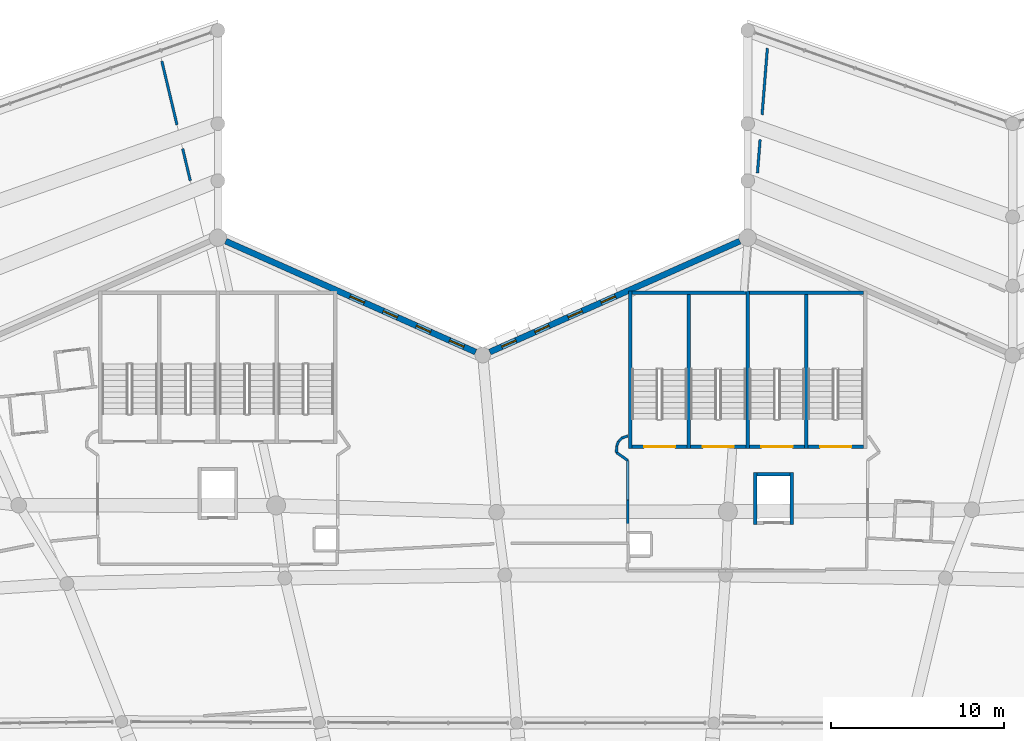
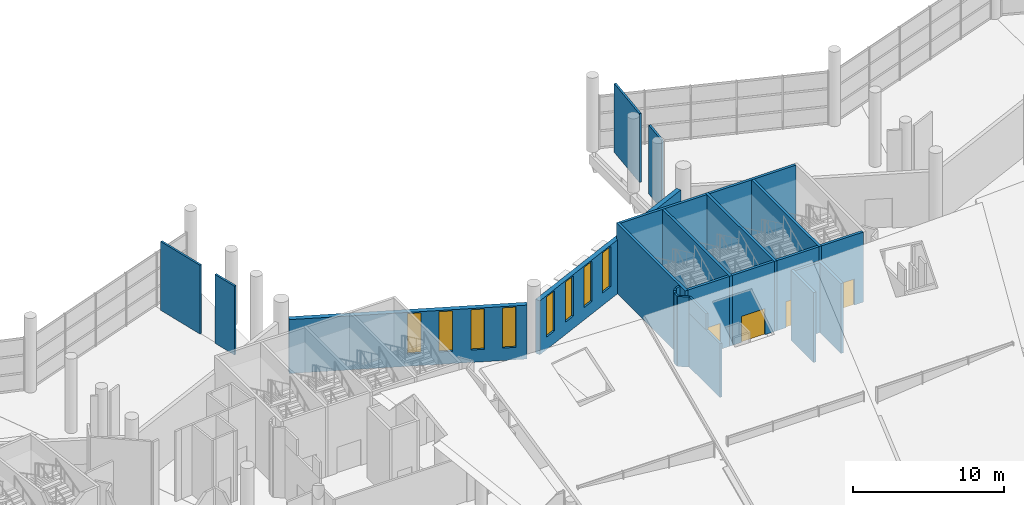
# One storey, part 167 of 249: 26 walls, 8 windows, 4 doors, 12 openings.
"""IFC4 building model written with IfcOpenShell, lengths in metres."""

from ifc_helpers import new_model, si_unit, direction, frame, frame_2d, origin, place, context, subcontext, project, spatial, rectangle, extrude, material, layer, layer_set, type_object, element, fill, save


model = new_model("IFC4")

# Units and contexts
model_context = context("Model", 3, precision=1e-05, world=origin(), true_north=direction((0.0, 1.0)))
body_context = subcontext(model_context, "Body", "Model", "MODEL_VIEW")
ifc_project = project(units=[si_unit("LENGTHUNIT", "METRE"), si_unit("AREAUNIT", "SQUARE_METRE"), si_unit("VOLUMEUNIT", "CUBIC_METRE"), si_unit("PLANEANGLEUNIT", "RADIAN"), si_unit("MASSUNIT", "GRAM", prefix="KILO")], contexts=[model_context])

# Site, building, storey
site_placement = place(None, origin())
site = spatial("IfcSite", under=ifc_project, at=site_placement, CompositionType="ELEMENT")
building_placement = place(site_placement, origin())
building = spatial("IfcBuilding", under=site, at=building_placement, Name="Meseta Stadium", CompositionType="ELEMENT")
storey_placement = place(building_placement, frame((0.0, 0.0, 12.0)))
storey = spatial("IfcBuildingStorey", under=building, at=storey_placement, Name="L02", CompositionType="ELEMENT", Elevation=12.0)

# Walls
ifc_material_1 = material(Name="Concrete C40/50", Category="concrete")
ifc_layer_1 = layer(ifc_material_1, 0.199951171875)
ifc_layer_set_1 = layer_set([ifc_layer_1], Name="Core divider wall 200")
wall_type_1 = type_object("IfcWallType", Name="Core divider wall 200", PredefinedType="SHEAR", material=ifc_layer_set_1)
for number, where, z_axis, x_axis, name in (
    (1, (11.066650390625, 102.300048828125, 0.0), (0.0, 0.0, 1.0), (0.0, -1.0, 0.0), "Core 10 L02 stair A divider wall"),
    (2, (4.2666015625, 102.300048828125, 0.0), (0.0, 0.0, 1.0), (0.0, -1.0, 0.0), "Core 10 L02 stair B divider wall"),
):
    element("IfcWall", number, at=place(storey_placement, frame(where, z_axis=z_axis, x_axis=x_axis)), inside=storey, type_object=wall_type_1, Name=name, PredefinedType="SHEAR", context=body_context, shape_type="SweptSolid", body=[
        extrude(rectangle(XDim=9.10009765625, YDim=0.199951171875, at=frame_2d((4.550048828125, 0.0))), origin(), (0.0, 0.0, 1.0), 5.64990234375),
    ])
ifc_material_2 = material(Name="Concrete C40/50", Category="concrete")
ifc_layer_2 = layer(ifc_material_2, 0.199951171875)
ifc_layer_set_2 = layer_set([ifc_layer_2], Name="Core shaft wall 200")
wall_type_2 = type_object("IfcWallType", Name="Core shaft wall 200", PredefinedType="SHEAR", material=ifc_layer_set_2)
for number, where, z_axis, x_axis, name in (
    (3, (7.666748046875, 102.300048828125, 0.0), (0.0, 0.0, 1.0), (0.0, -1.0, 0.0), "Core 10 L02 stair wall shared"),
    (4, (0.86669921875, 102.300048828125, 0.0), (0.0, 0.0, 1.0), (0.0, -1.0, 0.0), "Core 10 L02 stair wall B-side"),
):
    element("IfcWall", number, at=place(storey_placement, frame(where, z_axis=z_axis, x_axis=x_axis)), inside=storey, type_object=wall_type_2, Name=name, PredefinedType="SHEAR", context=body_context, shape_type="SweptSolid", body=[
        extrude(rectangle(XDim=9.10009765625, YDim=0.199951171875, at=frame_2d((4.550048828125, 0.0))), origin(), (0.0, 0.0, 1.0), 5.64990234375),
    ])
wall_1_placement = place(storey_placement, frame((14.36669921875, 102.199951171875, 0.0), z_axis=(0.0, 0.0, 1.0), x_axis=(-1.0, 0.0, 0.0)))
element("IfcWall", 5, at=wall_1_placement, inside=storey, type_object=wall_type_2, Name="Core 10 L02 stair A outer end wall", PredefinedType="SHEAR", context=body_context, shape_type="SweptSolid", body=[
    extrude(rectangle(XDim=6.60009765625, YDim=0.199951171875, at=frame_2d((3.300048828125, 0.0))), origin(), (0.0, 0.0, 1.0), 5.64990234375),
])
wall_2_placement = place(storey_placement, frame((7.566650390625, 102.199951171875, 0.0), z_axis=(0.0, 0.0, 1.0), x_axis=(-1.0, 0.0, 0.0)))
element("IfcWall", 6, at=wall_2_placement, inside=storey, type_object=wall_type_2, Name="Core 10 L02 stair B outer end wall", PredefinedType="SHEAR", context=body_context, shape_type="SweptSolid", body=[
    extrude(rectangle(XDim=6.599853515625, YDim=0.199951171875, at=frame_2d((3.2998046875, 0.0))), origin(), (0.0, 0.0, 1.0), 5.64990234375),
])

# Wall, opening, door
wall_3_placement = place(storey_placement, frame((14.36669921875, 93.300048828125, 0.0), z_axis=(0.0, 0.0, 1.0), x_axis=(-1.0, 0.0, 0.0)))
wall_3 = element("IfcWall", 7, at=wall_3_placement, inside=storey, type_object=wall_type_2, Name="Core 10 L02 stair A1 inner end wall", PredefinedType="SHEAR", context=body_context, shape_type="SweptSolid", body=[
    extrude(rectangle(XDim=3.199951171875, YDim=0.199951171875, at=frame_2d((1.60009765625, 0.0))), origin(), (0.0, 0.0, 1.0), 5.64990234375),
])
opening_1_placement = place(wall_3_placement, frame((0.699951171875, 0.0, 0.0)))
opening_1 = element("IfcOpeningElement", 8, at=opening_1_placement, cuts=wall_3, Name="Opening D1125", PredefinedType="OPENING", context=body_context, shape_type="SweptSolid", body=[
    extrude(rectangle(XDim=1.800048828125, YDim=2.10009765625, at=frame_2d((0.89990234375, 1.050048828125))), frame((0.0, 0.10986328125, 0.0), z_axis=(0.0, -1.0, 0.0), x_axis=(1.0, 0.0, 0.0)), (0.0, 0.0, 1.0), 0.219970703125),
])
ifc_material_3 = material(Name="Steel", Category="steel")
door_type = type_object("IfcDoorType", Name="Stair door 1800x2100", OperationType="DOUBLE_DOOR_SINGLE_SWING", PredefinedType="DOOR", material=ifc_material_3)
door_1_placement = place(opening_1_placement, origin())
door_1 = element("IfcDoor", 9, at=door_1_placement, inside=storey, type_object=door_type, Name="Stair A1 door 10 L02", OperationType="DOUBLE_DOOR_SINGLE_SWING", OverallHeight=2.10009765625, OverallWidth=1.800048828125, PredefinedType="DOOR", context=body_context, shape_type="SweptSolid", body=[
    extrude(rectangle(XDim=1.800048828125, YDim=2.10009765625, at=frame_2d((0.89990234375, 1.050048828125))), frame((0.0, 0.02490234375, 0.0), z_axis=(0.0, -1.0, 0.0), x_axis=(1.0, 0.0, 0.0)), (0.0, 0.0, 1.0), 0.050048828125),
])
fill(opening_1, door_1)

wall_4_placement = place(storey_placement, frame((10.966796875, 93.300048828125, 0.0), z_axis=(0.0, 0.0, 1.0), x_axis=(-1.0, 0.0, 0.0)))
wall_4 = element("IfcWall", 10, at=wall_4_placement, inside=storey, type_object=wall_type_2, Name="Core 10 L02 stair A2 inner end wall", PredefinedType="SHEAR", context=body_context, shape_type="SweptSolid", body=[
    extrude(rectangle(XDim=3.2001953125, YDim=0.199951171875, at=frame_2d((1.60009765625, 0.0))), origin(), (0.0, 0.0, 1.0), 5.64990234375),
])
opening_2_placement = place(wall_4_placement, frame((0.699951171875, 0.0, 0.0)))
opening_2 = element("IfcOpeningElement", 11, at=opening_2_placement, cuts=wall_4, Name="Opening D1124", PredefinedType="OPENING", context=body_context, shape_type="SweptSolid", body=[
    extrude(rectangle(XDim=1.800048828125, YDim=2.10009765625, at=frame_2d((0.89990234375, 1.050048828125))), frame((0.0, 0.10986328125, 0.0), z_axis=(0.0, -1.0, 0.0), x_axis=(1.0, 0.0, 0.0)), (0.0, 0.0, 1.0), 0.219970703125),
])
door_2_placement = place(opening_2_placement, origin())
door_2 = element("IfcDoor", 12, at=door_2_placement, inside=storey, type_object=door_type, Name="Stair A2 door 10 L02", OperationType="DOUBLE_DOOR_SINGLE_SWING", OverallHeight=2.10009765625, OverallWidth=1.800048828125, PredefinedType="DOOR", context=body_context, shape_type="SweptSolid", body=[
    extrude(rectangle(XDim=1.800048828125, YDim=2.10009765625, at=frame_2d((0.89990234375, 1.050048828125))), frame((0.0, 0.02490234375, 0.0), z_axis=(0.0, -1.0, 0.0), x_axis=(1.0, 0.0, 0.0)), (0.0, 0.0, 1.0), 0.050048828125),
])
fill(opening_2, door_2)

wall_5_placement = place(storey_placement, frame((7.566650390625, 93.300048828125, 0.0), z_axis=(0.0, 0.0, 1.0), x_axis=(-1.0, 0.0, 0.0)))
wall_5 = element("IfcWall", 13, at=wall_5_placement, inside=storey, type_object=wall_type_2, Name="Core 10 L02 stair B1 inner end wall", PredefinedType="SHEAR", context=body_context, shape_type="SweptSolid", body=[
    extrude(rectangle(XDim=3.199951171875, YDim=0.199951171875, at=frame_2d((1.60009765625, 0.0))), origin(), (0.0, 0.0, 1.0), 5.64990234375),
])
opening_3_placement = place(wall_5_placement, frame((0.699951171875, 0.0, 0.0)))
opening_3 = element("IfcOpeningElement", 14, at=opening_3_placement, cuts=wall_5, Name="Opening D1123", PredefinedType="OPENING", context=body_context, shape_type="SweptSolid", body=[
    extrude(rectangle(XDim=1.800048828125, YDim=2.10009765625, at=frame_2d((0.89990234375, 1.050048828125))), frame((0.0, 0.10986328125, 0.0), z_axis=(0.0, -1.0, 0.0), x_axis=(1.0, 0.0, 0.0)), (0.0, 0.0, 1.0), 0.219970703125),
])
door_3_placement = place(opening_3_placement, origin())
door_3 = element("IfcDoor", 15, at=door_3_placement, inside=storey, type_object=door_type, Name="Stair B1 door 10 L02", OperationType="DOUBLE_DOOR_SINGLE_SWING", OverallHeight=2.10009765625, OverallWidth=1.800048828125, PredefinedType="DOOR", context=body_context, shape_type="SweptSolid", body=[
    extrude(rectangle(XDim=1.800048828125, YDim=2.10009765625, at=frame_2d((0.89990234375, 1.050048828125))), frame((0.0, 0.02490234375, 0.0), z_axis=(0.0, -1.0, 0.0), x_axis=(1.0, 0.0, 0.0)), (0.0, 0.0, 1.0), 0.050048828125),
])
fill(opening_3, door_3)

wall_6_placement = place(storey_placement, frame((4.166748046875, 93.300048828125, 0.0), z_axis=(0.0, 0.0, 1.0), x_axis=(-1.0, 0.0, 0.0)))
wall_6 = element("IfcWall", 16, at=wall_6_placement, inside=storey, type_object=wall_type_2, Name="Core 10 L02 stair B2 inner end wall", PredefinedType="SHEAR", context=body_context, shape_type="SweptSolid", body=[
    extrude(rectangle(XDim=3.199951171875, YDim=0.199951171875, at=frame_2d((1.60009765625, 0.0))), origin(), (0.0, 0.0, 1.0), 5.64990234375),
])
opening_4_placement = place(wall_6_placement, frame((0.699951171875, 0.0, 0.0)))
opening_4 = element("IfcOpeningElement", 17, at=opening_4_placement, cuts=wall_6, Name="Opening D1122", PredefinedType="OPENING", context=body_context, shape_type="SweptSolid", body=[
    extrude(rectangle(XDim=1.800048828125, YDim=2.10009765625, at=frame_2d((0.89990234375, 1.050048828125))), frame((0.0, 0.10986328125, 0.0), z_axis=(0.0, -1.0, 0.0), x_axis=(1.0, 0.0, 0.0)), (0.0, 0.0, 1.0), 0.219970703125),
])
door_4_placement = place(opening_4_placement, origin())
door_4 = element("IfcDoor", 18, at=door_4_placement, inside=storey, type_object=door_type, Name="Stair B2 door 10 L02", OperationType="DOUBLE_DOOR_SINGLE_SWING", OverallHeight=2.10009765625, OverallWidth=1.800048828125, PredefinedType="DOOR", context=body_context, shape_type="SweptSolid", body=[
    extrude(rectangle(XDim=1.800048828125, YDim=2.10009765625, at=frame_2d((0.89990234375, 1.050048828125))), frame((0.0, 0.02490234375, 0.0), z_axis=(0.0, -1.0, 0.0), x_axis=(1.0, 0.0, 0.0)), (0.0, 0.0, 1.0), 0.050048828125),
])
fill(opening_4, door_4)

# Walls
for number, where, z_axis, x_axis, name in (
    (19, (10.216796875, 91.800048828125, 0.0), (0.0, 0.0, 1.0), (0.0, -1.0, 0.0), "Core 10 L02 lift shaft wall left"),
    (20, (8.11669921875, 91.800048828125, 0.0), (0.0, 0.0, 1.0), (0.0, -1.0, 0.0), "Core 10 L02 lift shaft wall right"),
):
    element("IfcWall", number, at=place(storey_placement, frame(where, z_axis=z_axis, x_axis=x_axis)), inside=storey, type_object=wall_type_2, Name=name, PredefinedType="SHEAR", context=body_context, shape_type="SweptSolid", body=[
        extrude(rectangle(XDim=3.0, YDim=0.199951171875, at=frame_2d((1.5, 0.0))), origin(), (0.0, 0.0, 1.0), 5.64990234375),
    ])
wall_7_placement = place(storey_placement, frame((10.11669921875, 91.699951171875, 0.0), z_axis=(0.0, 0.0, 1.0), x_axis=(-1.0, 0.0, 0.0)))
element("IfcWall", 21, at=wall_7_placement, inside=storey, type_object=wall_type_2, Name="Core 10 L02 lift shaft back wall", PredefinedType="SHEAR", context=body_context, shape_type="SweptSolid", body=[
    extrude(rectangle(XDim=1.89990234375, YDim=0.199951171875, at=frame_2d((0.949951171875, 0.0))), origin(), (0.0, 0.0, 1.0), 5.64990234375),
])
ifc_material_4 = material(Name="Masonry blockwork", Category="masonry")
ifc_layer_3 = layer(ifc_material_4, 0.14990234375)
ifc_layer_set_3 = layer_set([ifc_layer_3], Name="Partition 150")
wall_type_3 = type_object("IfcWallType", Name="Partition 150", PredefinedType="PARTITIONING", material=ifc_layer_set_3)
wall_8_placement = place(storey_placement, frame((8.23388671875, 109.147216796875, 0.0), z_axis=(0.0, 0.0, 1.0), x_axis=(0.079152200881, 0.996862542729, 0.0)))
element("IfcWall", 22, at=wall_8_placement, inside=storey, type_object=wall_type_3, Name="Partition L02 L02-ring08-0", PredefinedType="PARTITIONING", context=body_context, shape_type="SweptSolid", body=[
    extrude(rectangle(XDim=1.930908203125, YDim=0.14990234375, at=frame_2d((0.96533203125, 0.0))), origin(), (0.0, 0.0, 1.0), 5.550048828125),
])
wall_9_placement = place(storey_placement, frame((8.501220703125, 112.515625, 0.0), z_axis=(0.0, 0.0, 1.0), x_axis=(0.079152200881, 0.996862542729, 0.0)))
element("IfcWall", 23, at=wall_9_placement, inside=storey, type_object=wall_type_3, Name="Partition L02 L02-ring08-0", PredefinedType="PARTITIONING", context=body_context, shape_type="SweptSolid", body=[
    extrude(rectangle(XDim=3.86181640625, YDim=0.14990234375, at=frame_2d((1.930908203125, 0.0))), origin(), (0.0, 0.0, 1.0), 5.550048828125),
])
wall_10_placement = place(storey_placement, frame((-26.24267578125, 115.619384765625, 0.0), z_axis=(0.0, 0.0, 1.0), x_axis=(0.231582809657, -0.972815194305, 0.0)))
element("IfcWall", 24, at=wall_10_placement, inside=storey, type_object=wall_type_3, Name="Partition L02 L02-ring10-0", PredefinedType="PARTITIONING", context=body_context, shape_type="SweptSolid", body=[
    extrude(rectangle(XDim=3.7919921875, YDim=0.14990234375, at=frame_2d((1.89599609375, 0.0))), origin(), (0.0, 0.0, 1.0), 5.550048828125),
])
wall_11_placement = place(storey_placement, frame((-25.034912109375, 110.547119140625, 0.0), z_axis=(0.0, 0.0, 1.0), x_axis=(0.231521878941, -0.972829697106, 0.0)))
element("IfcWall", 25, at=wall_11_placement, inside=storey, type_object=wall_type_3, Name="Partition L02 L02-ring10-0", PredefinedType="PARTITIONING", context=body_context, shape_type="SweptSolid", body=[
    extrude(rectangle(XDim=1.89599609375, YDim=0.14990234375, at=frame_2d((0.947998046875, 0.0))), origin(), (0.0, 0.0, 1.0), 5.550048828125),
])
wall_12_placement = place(storey_placement, frame((0.728271484375, 93.9287109375, 0.0), z_axis=(0.0, 0.0, 1.0), x_axis=(-0.937897537761, -0.346912393353, 0.0)))
element("IfcWall", 26, at=wall_12_placement, inside=storey, type_object=wall_type_3, Name="Stair vestibule wall L02 core 10", PredefinedType="PARTITIONING", context=body_context, shape_type="SweptSolid", body=[
    extrude(rectangle(XDim=0.356201171875, YDim=0.14990234375, at=frame_2d((0.17822265625, 0.0))), origin(), (0.0, 0.0, 1.0), 5.64990234375),
])
wall_13_placement = place(storey_placement, frame((0.394287109375, 93.80517578125, 0.0), z_axis=(0.0, 0.0, 1.0), x_axis=(-0.707106781187, -0.707106781187, 0.0)))
element("IfcWall", 27, at=wall_13_placement, inside=storey, type_object=wall_type_3, Name="Stair vestibule wall L02 core 10", PredefinedType="PARTITIONING", context=body_context, shape_type="SweptSolid", body=[
    extrude(rectangle(XDim=0.28515625, YDim=0.14990234375, at=frame_2d((0.142578125, 0.0))), origin(), (0.0, 0.0, 1.0), 5.64990234375),
])
wall_14_placement = place(storey_placement, frame((0.192626953125, 93.603515625, 0.0), z_axis=(0.0, 0.0, 1.0), x_axis=(-0.3830150227, -0.923742113572, 0.0)))
element("IfcWall", 28, at=wall_14_placement, inside=storey, type_object=wall_type_3, Name="Stair vestibule wall L02 core 10", PredefinedType="PARTITIONING", context=body_context, shape_type="SweptSolid", body=[
    extrude(rectangle(XDim=0.28173828125, YDim=0.14990234375, at=frame_2d((0.140869140625, 0.0))), origin(), (0.0, 0.0, 1.0), 5.64990234375),
])
wall_15_placement = place(storey_placement, frame((0.084716796875, 93.34326171875, 0.0), z_axis=(0.0, 0.0, 1.0), x_axis=(-0.038358216731, -0.999264052795, 0.0)))
element("IfcWall", 29, at=wall_15_placement, inside=storey, type_object=wall_type_3, Name="Stair vestibule wall L02 core 10", PredefinedType="PARTITIONING", context=body_context, shape_type="SweptSolid", body=[
    extrude(rectangle(XDim=0.37548828125, YDim=0.14990234375, at=frame_2d((0.187744140625, 0.0))), origin(), (0.0, 0.0, 1.0), 5.64990234375),
])
wall_16_placement = place(storey_placement, frame((0.0703125, 92.968017578125, 0.0), z_axis=(0.0, 0.0, 1.0), x_axis=(0.817587352425, -0.57580458591, 0.0)))
element("IfcWall", 30, at=wall_16_placement, inside=storey, type_object=wall_type_3, Name="Stair vestibule wall L02 core 10", PredefinedType="PARTITIONING", context=body_context, shape_type="SweptSolid", body=[
    extrude(rectangle(XDim=0.796630859375, YDim=0.14990234375, at=frame_2d((0.3984375, 0.0))), origin(), (0.0, 0.0, 1.0), 5.64990234375),
])
wall_17_placement = place(storey_placement, frame((0.7216796875, 92.50927734375, 0.0), z_axis=(0.0, 0.0, 1.0), x_axis=(0.0, -1.0, 0.0)))
element("IfcWall", 31, at=wall_17_placement, inside=storey, type_object=wall_type_3, Name="Stair vestibule wall L02 core 10", PredefinedType="PARTITIONING", context=body_context, shape_type="SweptSolid", body=[
    extrude(rectangle(XDim=4.103515625, YDim=0.14990234375, at=frame_2d((2.0517578125, 0.0))), origin(), (0.0, 0.0, 1.0), 4.35009765625),
])
wall_18_placement = place(storey_placement, frame((0.7216796875, 92.50927734375, 4.35009765625), z_axis=(0.0, 0.0, 1.0), x_axis=(0.0, -1.0, 0.0)))
element("IfcWall", 32, at=wall_18_placement, inside=storey, type_object=wall_type_3, Name="Stair vestibule wall L02 core 10", PredefinedType="PARTITIONING", context=body_context, shape_type="SweptSolid", body=[
    extrude(rectangle(XDim=2.27978515625, YDim=0.14990234375, at=frame_2d((1.139892578125, 0.0))), origin(), (0.0, 0.0, 1.0), 1.2998046875),
])

# Wall, openings, windows
ifc_material_5 = material(Name="White precast concrete C40/50", Category="concrete")
ifc_layer_4 = layer(ifc_material_5, 0.35009765625)
ifc_layer_set_4 = layer_set([ifc_layer_4], Name="Pleated panel wall 350 gate")
wall_type_4 = type_object("IfcWallType", Name="Pleated panel wall 350 gate", PredefinedType="SOLIDWALL", material=ifc_layer_set_4)
wall_19_placement = place(storey_placement, frame((-7.255615234375, 98.7822265625, 0.0), z_axis=(0.0, 0.0, 1.0), x_axis=(0.914136361455, 0.405406848322, 0.0)))
wall_19 = element("IfcWall", 33, at=wall_19_placement, inside=storey, type_object=wall_type_4, Name="Pleated facade panel L02 F18", PredefinedType="SOLIDWALL", context=body_context, shape_type="SweptSolid", body=[
    extrude(rectangle(XDim=15.82421875, YDim=0.35009765625, at=frame_2d((7.912109375, 0.0))), origin(), (0.0, 0.0, 1.0), 4.35009765625),
])
opening_5_placement = place(wall_19_placement, frame((0.75048828125, 0.0, 1.0)))
opening_5 = element("IfcOpeningElement", 34, at=opening_5_placement, cuts=wall_19, Name="Opening W019", PredefinedType="OPENING", context=body_context, shape_type="SweptSolid", body=[
    extrude(rectangle(XDim=0.89990234375, YDim=3.25, at=frame_2d((0.449951171875, 1.625))), frame((0.0, 0.18505859375, 0.0), z_axis=(0.0, -1.0, 0.0), x_axis=(1.0, 0.0, 0.0)), (0.0, 0.0, 1.0), 0.3701171875),
])
opening_6_placement = place(wall_19_placement, frame((2.850341796875, 0.0, 1.0)))
opening_6 = element("IfcOpeningElement", 35, at=opening_6_placement, cuts=wall_19, Name="Opening W020", PredefinedType="OPENING", context=body_context, shape_type="SweptSolid", body=[
    extrude(rectangle(XDim=0.89990234375, YDim=3.25, at=frame_2d((0.449951171875, 1.625))), frame((0.0, 0.18505859375, 0.0), z_axis=(0.0, -1.0, 0.0), x_axis=(1.0, 0.0, 0.0)), (0.0, 0.0, 1.0), 0.3701171875),
])
opening_7_placement = place(wall_19_placement, frame((4.950439453125, 0.0, 1.0)))
opening_7 = element("IfcOpeningElement", 36, at=opening_7_placement, cuts=wall_19, Name="Opening W021", PredefinedType="OPENING", context=body_context, shape_type="SweptSolid", body=[
    extrude(rectangle(XDim=0.89990234375, YDim=3.25, at=frame_2d((0.449951171875, 1.625))), frame((0.0, 0.18505859375, 0.0), z_axis=(0.0, -1.0, 0.0), x_axis=(1.0, 0.0, 0.0)), (0.0, 0.0, 1.0), 0.3701171875),
])
opening_8_placement = place(wall_19_placement, frame((7.05029296875, 0.0, 1.0)))
opening_8 = element("IfcOpeningElement", 37, at=opening_8_placement, cuts=wall_19, Name="Opening W022", PredefinedType="OPENING", context=body_context, shape_type="SweptSolid", body=[
    extrude(rectangle(XDim=0.89990234375, YDim=3.25, at=frame_2d((0.449951171875, 1.625))), frame((0.0, 0.18505859375, 0.0), z_axis=(0.0, -1.0, 0.0), x_axis=(1.0, 0.0, 0.0)), (0.0, 0.0, 1.0), 0.3701171875),
])
ifc_material_6 = material(Name="Aluminium", Category="aluminium")
window_type = type_object("IfcWindowType", Name="Slot window 900x3250", PartitioningType="SINGLE_PANEL", PredefinedType="WINDOW", material=ifc_material_6)
window_1_placement = place(opening_5_placement, origin())
window_1 = element("IfcWindow", 38, at=window_1_placement, inside=storey, type_object=window_type, Name="Slot window L02 F18.1", OverallHeight=3.25, OverallWidth=0.89990234375, PartitioningType="SINGLE_PANEL", PredefinedType="WINDOW", context=body_context, shape_type="SweptSolid", body=[
    extrude(rectangle(XDim=0.89990234375, YDim=3.25, at=frame_2d((0.449951171875, 1.625))), frame((0.0, 0.030029296875, 0.0), z_axis=(0.0, -1.0, 0.0), x_axis=(1.0, 0.0, 0.0)), (0.0, 0.0, 1.0), 0.06005859375),
])
fill(opening_5, window_1)
window_2_placement = place(opening_6_placement, origin())
window_2 = element("IfcWindow", 39, at=window_2_placement, inside=storey, type_object=window_type, Name="Slot window L02 F18.2", OverallHeight=3.25, OverallWidth=0.89990234375, PartitioningType="SINGLE_PANEL", PredefinedType="WINDOW", context=body_context, shape_type="SweptSolid", body=[
    extrude(rectangle(XDim=0.89990234375, YDim=3.25, at=frame_2d((0.449951171875, 1.625))), frame((0.0, 0.030029296875, 0.0), z_axis=(0.0, -1.0, 0.0), x_axis=(1.0, 0.0, 0.0)), (0.0, 0.0, 1.0), 0.06005859375),
])
fill(opening_6, window_2)
window_3_placement = place(opening_7_placement, origin())
window_3 = element("IfcWindow", 40, at=window_3_placement, inside=storey, type_object=window_type, Name="Slot window L02 F18.3", OverallHeight=3.25, OverallWidth=0.89990234375, PartitioningType="SINGLE_PANEL", PredefinedType="WINDOW", context=body_context, shape_type="SweptSolid", body=[
    extrude(rectangle(XDim=0.89990234375, YDim=3.25, at=frame_2d((0.449951171875, 1.625))), frame((0.0, 0.030029296875, 0.0), z_axis=(0.0, -1.0, 0.0), x_axis=(1.0, 0.0, 0.0)), (0.0, 0.0, 1.0), 0.06005859375),
])
fill(opening_7, window_3)
window_4_placement = place(opening_8_placement, origin())
window_4 = element("IfcWindow", 41, at=window_4_placement, inside=storey, type_object=window_type, Name="Slot window L02 F18.4", OverallHeight=3.25, OverallWidth=0.89990234375, PartitioningType="SINGLE_PANEL", PredefinedType="WINDOW", context=body_context, shape_type="SweptSolid", body=[
    extrude(rectangle(XDim=0.89990234375, YDim=3.25, at=frame_2d((0.449951171875, 1.625))), frame((0.0, 0.030029296875, 0.0), z_axis=(0.0, -1.0, 0.0), x_axis=(1.0, 0.0, 0.0)), (0.0, 0.0, 1.0), 0.06005859375),
])
fill(opening_8, window_4)

wall_20_placement = place(storey_placement, frame((-22.54345703125, 105.197509765625, 0.0), z_axis=(0.0, 0.0, 1.0), x_axis=(0.914138897099, -0.405401130748, 0.0)))
wall_20 = element("IfcWall", 42, at=wall_20_placement, inside=storey, type_object=wall_type_4, Name="Pleated facade panel L02 F19", PredefinedType="SOLIDWALL", context=body_context, shape_type="SweptSolid", body=[
    extrude(rectangle(XDim=15.824462890625, YDim=0.35009765625, at=frame_2d((7.912109375, 0.0))), origin(), (0.0, 0.0, 1.0), 4.35009765625),
])
opening_9_placement = place(wall_20_placement, frame((14.174072265625, 0.0, 1.0)))
opening_9 = element("IfcOpeningElement", 43, at=opening_9_placement, cuts=wall_20, Name="Opening W018", PredefinedType="OPENING", context=body_context, shape_type="SweptSolid", body=[
    extrude(rectangle(XDim=0.89990234375, YDim=3.25, at=frame_2d((0.449951171875, 1.625))), frame((0.0, 0.18505859375, 0.0), z_axis=(0.0, -1.0, 0.0), x_axis=(1.0, 0.0, 0.0)), (0.0, 0.0, 1.0), 0.3701171875),
])
opening_10_placement = place(wall_20_placement, frame((12.073974609375, 0.0, 1.0)))
opening_10 = element("IfcOpeningElement", 44, at=opening_10_placement, cuts=wall_20, Name="Opening W017", PredefinedType="OPENING", context=body_context, shape_type="SweptSolid", body=[
    extrude(rectangle(XDim=0.89990234375, YDim=3.25, at=frame_2d((0.449951171875, 1.625))), frame((0.0, 0.18505859375, 0.0), z_axis=(0.0, -1.0, 0.0), x_axis=(1.0, 0.0, 0.0)), (0.0, 0.0, 1.0), 0.3701171875),
])
opening_11_placement = place(wall_20_placement, frame((9.973876953125, 0.0, 1.0)))
opening_11 = element("IfcOpeningElement", 45, at=opening_11_placement, cuts=wall_20, Name="Opening W016", PredefinedType="OPENING", context=body_context, shape_type="SweptSolid", body=[
    extrude(rectangle(XDim=0.89990234375, YDim=3.25, at=frame_2d((0.449951171875, 1.625))), frame((0.0, 0.18505859375, 0.0), z_axis=(0.0, -1.0, 0.0), x_axis=(1.0, 0.0, 0.0)), (0.0, 0.0, 1.0), 0.3701171875),
])
opening_12_placement = place(wall_20_placement, frame((7.8740234375, 0.0, 1.0)))
opening_12 = element("IfcOpeningElement", 46, at=opening_12_placement, cuts=wall_20, Name="Opening W015", PredefinedType="OPENING", context=body_context, shape_type="SweptSolid", body=[
    extrude(rectangle(XDim=0.89990234375, YDim=3.25, at=frame_2d((0.449951171875, 1.625))), frame((0.0, 0.18505859375, 0.0), z_axis=(0.0, -1.0, 0.0), x_axis=(1.0, 0.0, 0.0)), (0.0, 0.0, 1.0), 0.3701171875),
])
window_5_placement = place(opening_9_placement, origin())
window_5 = element("IfcWindow", 47, at=window_5_placement, inside=storey, type_object=window_type, Name="Slot window L02 F19.1", OverallHeight=3.25, OverallWidth=0.89990234375, PartitioningType="SINGLE_PANEL", PredefinedType="WINDOW", context=body_context, shape_type="SweptSolid", body=[
    extrude(rectangle(XDim=0.89990234375, YDim=3.25, at=frame_2d((0.449951171875, 1.625))), frame((0.0, 0.030029296875, 0.0), z_axis=(0.0, -1.0, 0.0), x_axis=(1.0, 0.0, 0.0)), (0.0, 0.0, 1.0), 0.06005859375),
])
fill(opening_9, window_5)
window_6_placement = place(opening_10_placement, origin())
window_6 = element("IfcWindow", 48, at=window_6_placement, inside=storey, type_object=window_type, Name="Slot window L02 F19.2", OverallHeight=3.25, OverallWidth=0.89990234375, PartitioningType="SINGLE_PANEL", PredefinedType="WINDOW", context=body_context, shape_type="SweptSolid", body=[
    extrude(rectangle(XDim=0.89990234375, YDim=3.25, at=frame_2d((0.449951171875, 1.625))), frame((0.0, 0.030029296875, 0.0), z_axis=(0.0, -1.0, 0.0), x_axis=(1.0, 0.0, 0.0)), (0.0, 0.0, 1.0), 0.06005859375),
])
fill(opening_10, window_6)
window_7_placement = place(opening_11_placement, origin())
window_7 = element("IfcWindow", 49, at=window_7_placement, inside=storey, type_object=window_type, Name="Slot window L02 F19.3", OverallHeight=3.25, OverallWidth=0.89990234375, PartitioningType="SINGLE_PANEL", PredefinedType="WINDOW", context=body_context, shape_type="SweptSolid", body=[
    extrude(rectangle(XDim=0.89990234375, YDim=3.25, at=frame_2d((0.449951171875, 1.625))), frame((0.0, 0.030029296875, 0.0), z_axis=(0.0, -1.0, 0.0), x_axis=(1.0, 0.0, 0.0)), (0.0, 0.0, 1.0), 0.06005859375),
])
fill(opening_11, window_7)
window_8_placement = place(opening_12_placement, origin())
window_8 = element("IfcWindow", 50, at=window_8_placement, inside=storey, type_object=window_type, Name="Slot window L02 F19.4", OverallHeight=3.25, OverallWidth=0.89990234375, PartitioningType="SINGLE_PANEL", PredefinedType="WINDOW", context=body_context, shape_type="SweptSolid", body=[
    extrude(rectangle(XDim=0.89990234375, YDim=3.25, at=frame_2d((0.449951171875, 1.625))), frame((0.0, 0.030029296875, 0.0), z_axis=(0.0, -1.0, 0.0), x_axis=(1.0, 0.0, 0.0)), (0.0, 0.0, 1.0), 0.06005859375),
])
fill(opening_12, window_8)

save(model, "model.ifc")
